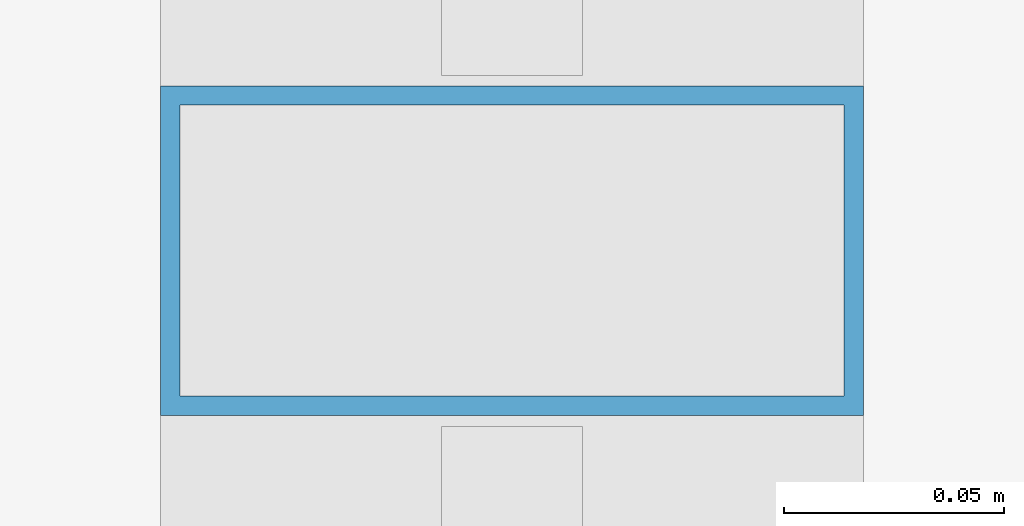
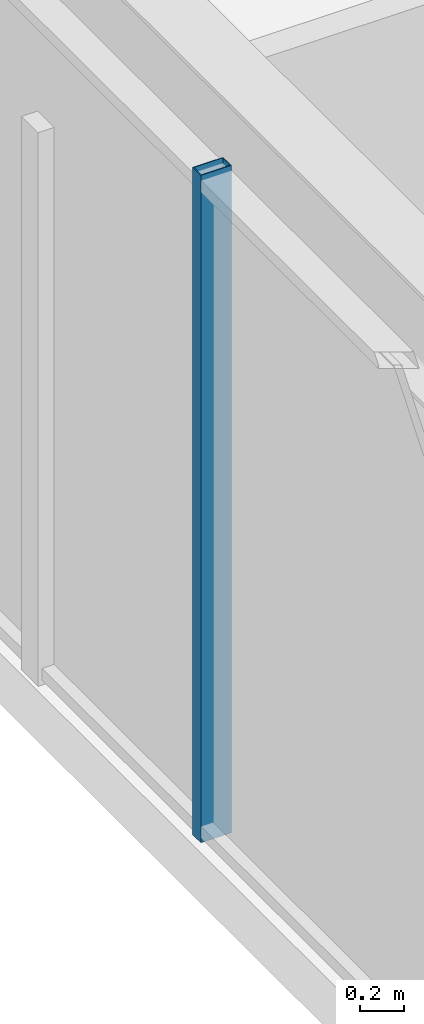
# One storey, part 9 of 39: 1 member, 1 element without a shape of its own.
"""IFC4 building model written with IfcOpenShell, lengths in metres."""

from ifc_helpers import new_model, si_unit, direction, frame, origin, origin_2d, place, context, subcontext, project, spatial, hollow_rectangle, extrude, material, material_profile, profile_set, type_object, element, aggregate, save


model = new_model("IFC4")

# Units and contexts
model_context = context("Model", 3, precision=1e-05, world=origin(), true_north=direction((0.0, 1.0)))
body_context = subcontext(model_context, "Body", "Model", "MODEL_VIEW")
ifc_project = project(units=[si_unit("LENGTHUNIT", "METRE"), si_unit("AREAUNIT", "SQUARE_METRE"), si_unit("VOLUMEUNIT", "CUBIC_METRE"), si_unit("PLANEANGLEUNIT", "RADIAN"), si_unit("MASSUNIT", "GRAM", prefix="KILO")], contexts=[model_context])

# Site, building, storey
site_placement = place(None, origin())
site = spatial("IfcSite", under=ifc_project, at=site_placement, CompositionType="ELEMENT")
building_placement = place(site_placement, origin())
building = spatial("IfcBuilding", under=site, at=building_placement, Name="Kolvaren Belvedere", CompositionType="ELEMENT")
storey_placement = place(building_placement, frame((0.0, 0.0, 15.199951171875)))
storey = spatial("IfcBuildingStorey", under=building, at=storey_placement, Name="L04", CompositionType="ELEMENT", Elevation=15.199951171875)

# Curtain wall, member
ifc_material_1 = material(Name="Anodised pale-metal aluminium AA 6063-T6", Category="aluminium")
curtain_wall_type = type_object("IfcCurtainWallType", Name="CW-POD-A", PredefinedType="NOTDEFINED", material=ifc_material_1)
curtain_wall_placement = place(storey_placement, origin())
curtain_wall = element("IfcCurtainWall", 1, at=curtain_wall_placement, inside=storey, type_object=curtain_wall_type, Name="L04 Unitised Curtain Wall FCW-L04-W", PredefinedType="NOTDEFINED")
ifc_material_2 = material(Name="Anodised pale-metal aluminium AA 6063-T6", Category="aluminium")
ifc_material_profile = material_profile(ifc_material_2, hollow_rectangle(XDim=0.074951171875, YDim=0.159912109375, WallThickness=0.00439453125, at=origin_2d()), Name="ALU-MUL-160X75")
ifc_profile_set = profile_set([ifc_material_profile], Name="Anodised pale-metal aluminium AA 6063-T6")
member_type = type_object("IfcMemberType", Name="CW-MUL-160", PredefinedType="MULLION", material=ifc_profile_set)
member_placement = place(storey_placement, frame((-27.8798828125, -14.199951171875, 0.0), z_axis=(0.0, 0.0, 1.0), x_axis=(0.0, 1.0, 0.0)))
member = element("IfcMember", 2, at=member_placement, type_object=member_type, Name="FCW-L04-W Unitised Mullion 2", PredefinedType="MULLION", context=body_context, shape_type="SweptSolid", body=[
    extrude(hollow_rectangle(XDim=0.074951171875, YDim=0.159912109375, WallThickness=0.00439453125, at=origin_2d()), origin(), (0.0, 0.0, 1.0), 3.699951171875),
])
aggregate(curtain_wall, [member])

save(model, "model.ifc")
